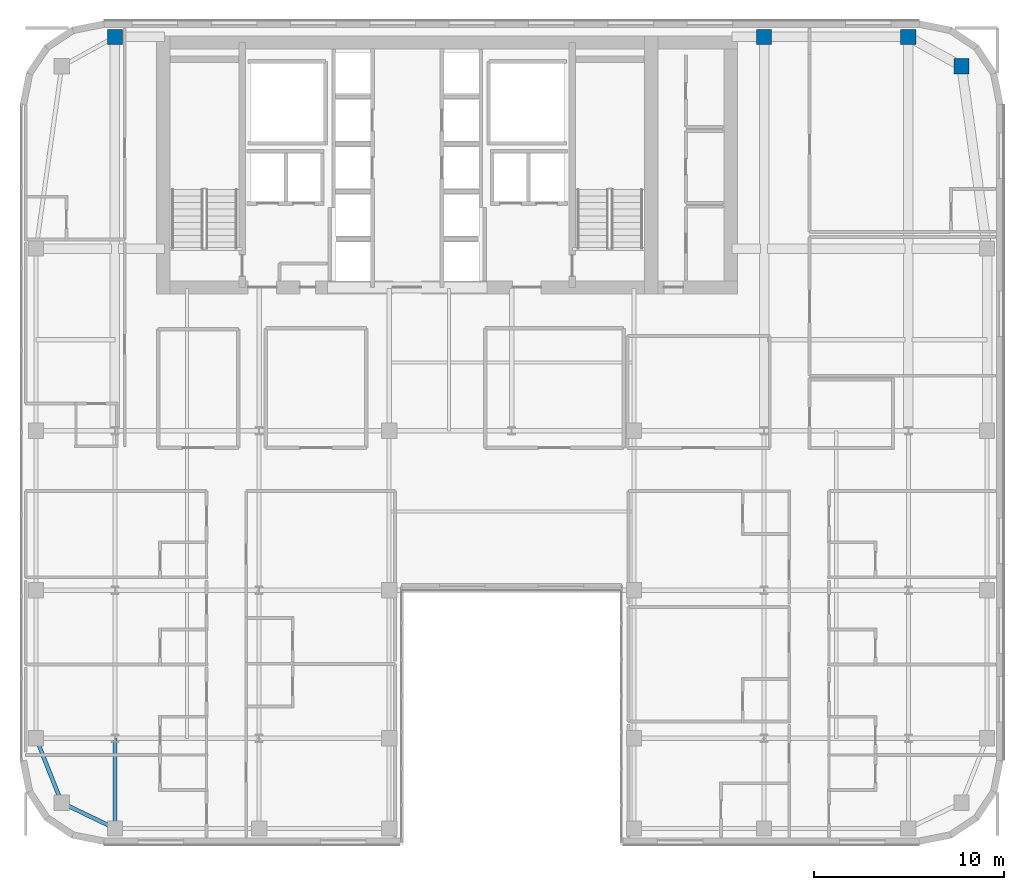
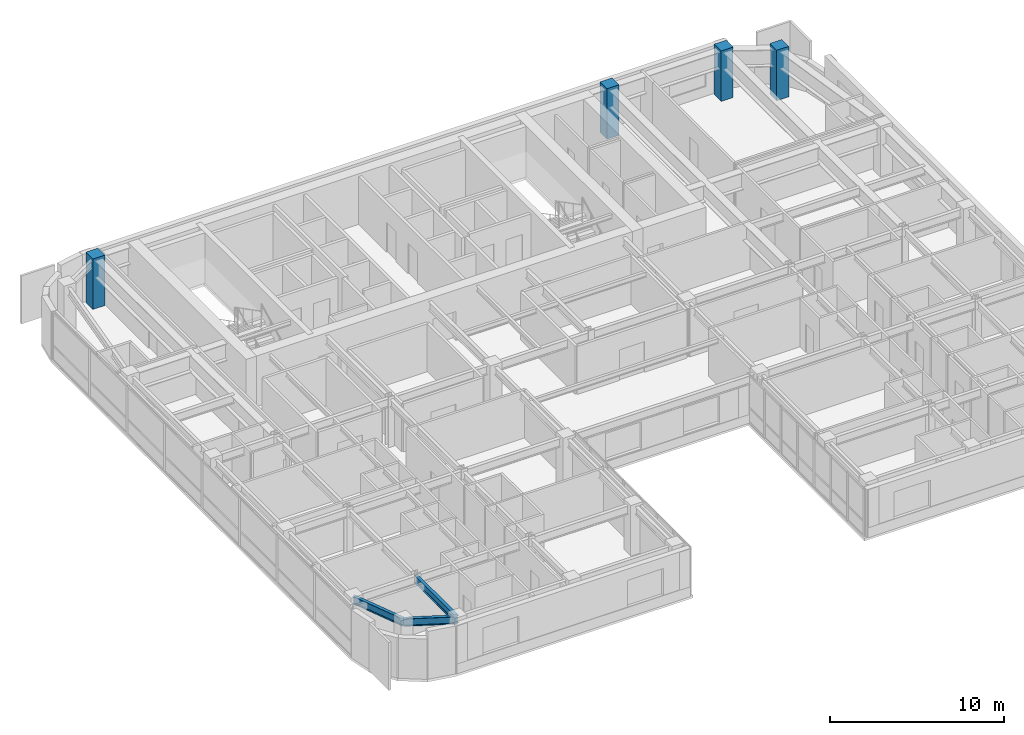
# One storey, part 2 of 28: 4 columns, 3 beams.
"""IFC4 building model written with IfcOpenShell, lengths in metres."""

import ifcopenshell
import ifcopenshell.guid

model = None  # the IFC model being written
_history = None  # IfcOwnerHistory: only IFC2X3 demands one
_inside = {}  # id of a spatial element -> (the spatial element, [elements in it])
_under = {}  # id of a project, library or spatial element -> (it, [spatial elements below it])
_declared = {}  # id of a project -> (the project, [libraries it declares])
_typed = {}  # id of a type object -> (the type object, [elements of that type])
_made_of = {}  # id of a material, layer set ... -> (it, [elements and type objects made of it])


def new_model(schema):
    """Start an empty IFC model of exactly this schema.

    Asked for "IFC4X3", IfcOpenShell would pick the latest addendum, in which some entities
    have other attributes; the version numbers below select the first issue.
    IFC2X3 requires an IfcOwnerHistory on every rooted entity: one is made here for all.
    """
    global model, _history
    if schema == "IFC4X3":
        model = ifcopenshell.file(schema_version=(4, 3, 0, 0))
    else:
        model = ifcopenshell.file(schema=schema)
    _inside.clear()
    _under.clear()
    _declared.clear()
    _typed.clear()
    _made_of.clear()
    _history = None
    if model.schema == "IFC2X3":
        org = make("IfcOrganization", Name="unknown")
        user = make(
            "IfcPersonAndOrganization",
            ThePerson=make("IfcPerson", FamilyName="unknown"),
            TheOrganization=org,
        )
        app = make(
            "IfcApplication",
            ApplicationDeveloper=org,
            Version="unknown",
            ApplicationFullName="unknown",
            ApplicationIdentifier="unknown",
        )
        _history = make(
            "IfcOwnerHistory",
            OwningUser=user,
            OwningApplication=app,
            ChangeAction="ADDED",
            CreationDate=0,
        )
    return model


def make(cls, **values):
    """One entity of the class cls with the attributes given. An attribute that is None is left unset."""
    return model.create_entity(
        cls, **{name: value for name, value in values.items() if value is not None}
    )


def rooted(cls, **values):
    """An entity with a GlobalId (a new one), such as an element, a storey or a relation."""
    return make(cls, GlobalId=ifcopenshell.guid.new(), OwnerHistory=_history, **values)


def si_unit(unit_type, name, prefix=None):
    """IfcSIUnit, for example si_unit("LENGTHUNIT", "METRE", prefix="MILLI")."""
    return make("IfcSIUnit", UnitType=unit_type, Prefix=prefix, Name=name)


def assignment(units):
    """IfcUnitAssignment: the units of a project."""
    return None if units is None else make("IfcUnitAssignment", Units=units)


def point(xyz):
    """IfcCartesianPoint."""
    return None if xyz is None else make("IfcCartesianPoint", Coordinates=xyz)


def direction(xyz):
    """IfcDirection."""
    return None if xyz is None else make("IfcDirection", DirectionRatios=xyz)


def frame(location, z_axis=None, x_axis=None):
    """IfcAxis2Placement3D, a coordinate frame: its origin and axes. An axis left out is left unset."""
    return make(
        "IfcAxis2Placement3D",
        Location=point(location),
        Axis=direction(z_axis),
        RefDirection=direction(x_axis),
    )


def frame_2d(location, x_axis=None):
    """IfcAxis2Placement2D, a coordinate frame in the plane: its origin and x axis."""
    return make(
        "IfcAxis2Placement2D", Location=point(location), RefDirection=direction(x_axis)
    )


def origin():
    """The frame at (0, 0, 0) with its axes left unset."""
    return frame((0.0, 0.0, 0.0))


def origin_2d():
    """The frame at (0, 0) in the plane with its x axis left unset."""
    return frame_2d((0.0, 0.0))


def place(relative_to, where):
    """IfcLocalPlacement: puts the frame where relative to a parent placement (None: the world)."""
    return make(
        "IfcLocalPlacement", PlacementRelTo=relative_to, RelativePlacement=where
    )


def context(
    kind, dimensions, precision=None, world=None, true_north=None, identifier=None
):
    """IfcGeometricRepresentationContext, for example the 3D "Model" context."""
    return make(
        "IfcGeometricRepresentationContext",
        ContextIdentifier=identifier,
        ContextType=kind,
        CoordinateSpaceDimension=dimensions,
        Precision=precision,
        WorldCoordinateSystem=world,
        TrueNorth=true_north,
    )


def subcontext(parent, identifier, kind, view, scale=None):
    """IfcGeometricRepresentationSubContext, for example "Body" below "Model"."""
    return make(
        "IfcGeometricRepresentationSubContext",
        ContextIdentifier=identifier,
        ContextType=kind,
        ParentContext=parent,
        TargetScale=scale,
        TargetView=view,
    )


def project(units=None, contexts=None):
    """IfcProject with its units and contexts."""
    return rooted(
        "IfcProject",
        Name="project",
        RepresentationContexts=contexts,
        UnitsInContext=assignment(units),
    )


def spatial(cls, under=None, at=None, **own):
    """A site, building, storey or space (cls), placed at a placement, below another one or the project."""
    s = rooted(cls, ObjectPlacement=at, **own)
    if under is not None:
        _under.setdefault(under.id(), (under, []))[1].append(s)
    return s


def profile(cls, at=None, kind="AREA", **sizes):
    """A parametric profile (cls). Its sizes go by their IFC names, for example OverallWidth=200.0."""
    return make(cls, ProfileType=kind, Position=at, **sizes)


def rectangle(**sizes):
    """IfcRectangleProfileDef."""
    return profile("IfcRectangleProfileDef", **sizes)


def i_section(**sizes):
    """IfcIShapeProfileDef."""
    return profile("IfcIShapeProfileDef", **sizes)


def extrude(swept, where, along, depth):
    """IfcExtrudedAreaSolid: the profile swept, set in the frame where, extruded along a direction by depth."""
    return make(
        "IfcExtrudedAreaSolid",
        SweptArea=swept,
        Position=where,
        ExtrudedDirection=direction(along),
        Depth=depth,
    )


def shape(context_of_items, identifier, shape_type, items):
    """IfcShapeRepresentation: the items that make up one representation, for example the "Body"."""
    return make(
        "IfcShapeRepresentation",
        ContextOfItems=context_of_items,
        RepresentationIdentifier=identifier,
        RepresentationType=shape_type,
        Items=items,
    )


def source(mapping_origin, context_of_items, identifier, shape_type, items):
    """IfcRepresentationMap: a shape defined once, which mapped items show again and again."""
    return make(
        "IfcRepresentationMap",
        MappingOrigin=mapping_origin,
        MappedRepresentation=shape(context_of_items, identifier, shape_type, items),
    )


def transform(
    local_origin,
    x_axis=None,
    y_axis=None,
    z_axis=None,
    scale=None,
    scale2=None,
    scale3=None,
    uniform=True,
):
    """IfcCartesianTransformationOperator3D, or its non-uniform kind. x_axis, y_axis, z_axis: its Axis1, 2, 3."""
    if uniform:
        return make(
            "IfcCartesianTransformationOperator3D",
            Axis1=direction(x_axis),
            Axis2=direction(y_axis),
            LocalOrigin=point(local_origin),
            Scale=scale,
            Axis3=direction(z_axis),
        )
    return make(
        "IfcCartesianTransformationOperator3DnonUniform",
        Axis1=direction(x_axis),
        Axis2=direction(y_axis),
        LocalOrigin=point(local_origin),
        Scale=scale,
        Axis3=direction(z_axis),
        Scale2=scale2,
        Scale3=scale3,
    )


def mapped(mapping_source, mapping_target):
    """IfcMappedItem: shows the shape of a source again, moved by a transform."""
    return make(
        "IfcMappedItem", MappingSource=mapping_source, MappingTarget=mapping_target
    )


def material(Name=None, Category=None):
    """IfcMaterial."""
    return make("IfcMaterial", Name=Name, Category=Category)


def material_profile(
    of_material, cross_section, Name=None, Category=None, Priority=None
):
    """IfcMaterialProfile: a cross section and its material."""
    return make(
        "IfcMaterialProfile",
        Name=Name,
        Material=of_material,
        Profile=cross_section,
        Priority=Priority,
        Category=Category,
    )


def profile_set(profiles, Name=None, composite=None):
    """IfcMaterialProfileSet."""
    return make(
        "IfcMaterialProfileSet",
        Name=Name,
        MaterialProfiles=profiles,
        CompositeProfile=composite,
    )


def made_of(thing, what):
    """Note that an element or type object is made of a material, layer set ...; save() writes the relation."""
    if what is not None:
        _made_of.setdefault(what.id(), (what, []))[1].append(thing)
    return thing


def type_object(cls, material=None, **own):
    """A type object (cls), such as IfcWallType, which elements share."""
    return made_of(rooted(cls, **own), material)


def type_shapes(of_type, sources):
    """Give a type object the sources (RepresentationMaps) that its elements show as mapped items."""
    of_type.RepresentationMaps = sources


def element(
    cls,
    number,
    at=None,
    inside=None,
    cuts=None,
    type_object=None,
    material=None,
    context=None,
    identifier="Body",
    shape_type=None,
    held_by="IfcProductDefinitionShape",
    body=None,
    shapes=None,
    **own,
):
    """One element of the class cls, such as IfcWall. Its Tag is "e" and its number.

    at: its placement. inside: the storey or other place that contains it. cuts: it is an
    opening in that element (IfcRelVoidsElement). A single representation is given by context,
    identifier, shape_type and body (its items); several are given by shapes. held_by: the class
    of the entity that holds the representations. save() writes the other relations.
    """
    e = rooted(cls, Tag="e%d" % number, ObjectPlacement=at, **own)
    if body is not None:
        shapes = [shape(context, identifier, shape_type, body)]
    if shapes is not None:
        e.Representation = make(held_by, Representations=shapes)
    if inside is not None:
        _inside.setdefault(inside.id(), (inside, []))[1].append(e)
    if cuts is not None:
        rooted(
            "IfcRelVoidsElement", RelatingBuildingElement=cuts, RelatedOpeningElement=e
        )
    if type_object is not None:
        _typed.setdefault(type_object.id(), (type_object, []))[1].append(e)
    return made_of(e, material)


def aggregate(whole, parts):
    """IfcRelAggregates: a whole, such as a stair, and the parts it consists of."""
    return rooted("IfcRelAggregates", RelatingObject=whole, RelatedObjects=parts)


def save(model, path):
    """Write the relations noted so far, then the file.

    IfcRelAggregates (storeys below a building ...), IfcRelContainedInSpatialStructure (elements
    in a storey), IfcRelDefinesByType, IfcRelAssociatesMaterial and IfcRelDeclares: one each for
    every whole, place, type object, material and project.
    """
    for whole, parts in _under.values():
        aggregate(whole, parts)
    for where, things in _inside.values():
        rooted(
            "IfcRelContainedInSpatialStructure",
            RelatedElements=things,
            RelatingStructure=where,
        )
    for kind, things in _typed.values():
        rooted("IfcRelDefinesByType", RelatedObjects=things, RelatingType=kind)
    for what, things in _made_of.values():
        rooted("IfcRelAssociatesMaterial", RelatedObjects=things, RelatingMaterial=what)
    for by, libraries in _declared.values():
        rooted("IfcRelDeclares", RelatingContext=by, RelatedDefinitions=libraries)
    model.write(path)


model = new_model("IFC4")

# Units and contexts
model_context = context("Model", 3, precision=1e-05, world=origin(), true_north=direction((0.0, 1.0)))
body_context = subcontext(model_context, "Body", "Model", "MODEL_VIEW")
ifc_project = project(units=[si_unit("LENGTHUNIT", "METRE"), si_unit("AREAUNIT", "SQUARE_METRE"), si_unit("VOLUMEUNIT", "CUBIC_METRE"), si_unit("PLANEANGLEUNIT", "RADIAN"), si_unit("MASSUNIT", "GRAM", prefix="KILO")], contexts=[model_context])

# Site, building, storey
site_placement = place(None, origin())
site = spatial("IfcSite", under=ifc_project, at=site_placement, CompositionType="ELEMENT")
building_placement = place(site_placement, origin())
building = spatial("IfcBuilding", under=site, at=building_placement, Name="Tolvann Quenvar Hotel", CompositionType="ELEMENT")
storey_placement = place(building_placement, frame((0.0, 0.0, 154.14990234375)))
storey = spatial("IfcBuildingStorey", under=building, at=storey_placement, Name="L40", CompositionType="ELEMENT", Elevation=154.14990234375)

# Columns
ifc_material_1 = material(Name="Concrete N50 (50 MPa)", Category="concrete")
ifc_material_profile_1 = material_profile(ifc_material_1, rectangle(XDim=0.800048828125, YDim=0.800048828125, at=origin_2d()), Name="RC800x800")
ifc_profile_set_1 = profile_set([ifc_material_profile_1], Name="Concrete N50 (50 MPa)")
column_type = type_object("IfcColumnType", Name="COL_RC800", PredefinedType="COLUMN", material=ifc_profile_set_1)
shared_shape_1 = source(origin(), body_context, "Body", "SweptSolid", [
    extrude(rectangle(XDim=0.800048828125, YDim=0.800048828125, at=origin_2d()), origin(), (0.0, 0.0, 1.0), 3.550048828125),
])
type_shapes(column_type, [shared_shape_1])
for number, where, z_axis, x_axis, name in (
    (1, (7.60009765625, 45.14990234375, 0.0), (0.0, 0.0, 1.0), (1.0, 0.0, 0.0), "Column CN (L40)"),
    (2, (41.800048828125, 45.14990234375, 0.0), (0.0, 0.0, 1.0), (1.0, 0.0, 0.0), "Column HN (L40)"),
    (3, (49.39990234375, 45.14990234375, 0.0), (0.0, 0.0, 1.0), (1.0, 0.0, 0.0), "Column IN (L40)"),
    (4, (52.199951171875, 43.60009765625, 0.0), (0.0, 0.0, 1.0), (1.0, 0.0, 0.0), "Column JN (L40)"),
):
    element("IfcColumn", number, at=place(storey_placement, frame(where, z_axis=z_axis, x_axis=x_axis)), inside=storey, type_object=column_type, Name=name, PredefinedType="COLUMN", context=body_context, shape_type="MappedRepresentation", body=[
        mapped(shared_shape_1, transform((0.0, 0.0, 0.0), x_axis=(1.0, 0.0, 0.0), y_axis=(0.0, 1.0, 0.0), z_axis=(0.0, 0.0, 1.0), scale=1.0)),
    ])

# Beams
ifc_material_2 = material(Name="Steel Grade 350", Category="steel")
ifc_material_profile_2 = material_profile(ifc_material_2, i_section(OverallWidth=0.208984375, OverallDepth=0.528076171875, WebThickness=0.009521484375, FlangeThickness=0.01318359375, FilletRadius=0.013916015625, at=origin_2d()), Name="530UB82")
ifc_profile_set_2 = profile_set([ifc_material_profile_2], Name="Steel Grade 350")
beam_type_1 = type_object("IfcBeamType", Name="BM_SPAND_530UB82", PredefinedType="SPANDREL", material=ifc_profile_set_2)
shared_shape_2 = source(origin(), body_context, "Body", "SweptSolid", [
    extrude(i_section(OverallWidth=0.208984375, OverallDepth=0.528076171875, WebThickness=0.009521484375, FlangeThickness=0.01318359375, FilletRadius=0.013916015625, at=origin_2d()), origin(), (0.0, 0.0, 1.0), 3.108642578125),
])
beam_1_placement = place(storey_placement, frame((4.800048828125, 4.800048828125, 3.106201171875), z_axis=(0.900759354066, -0.434318530646, 0.0), x_axis=(0.434318530646, 0.900759354066, 0.0)))
element("IfcBeam", 5, at=beam_1_placement, inside=storey, type_object=beam_type_1, Name="BM-L40-EW-2-B2-C2", PredefinedType="SPANDREL", context=body_context, shape_type="MappedRepresentation", body=[
    mapped(shared_shape_2, transform((0.0, 0.0, 0.0), x_axis=(1.0, 0.0, 0.0), y_axis=(0.0, 1.0, 0.0), z_axis=(0.0, 0.0, 1.0), scale=1.0)),
])
shared_shape_3 = source(origin(), body_context, "Body", "SweptSolid", [
    extrude(i_section(OverallWidth=0.208984375, OverallDepth=0.528076171875, WebThickness=0.009521484375, FlangeThickness=0.01318359375, FilletRadius=0.013916015625, at=origin_2d()), origin(), (0.0, 0.0, 1.0), 3.658203125),
])
type_shapes(beam_type_1, [shared_shape_2, shared_shape_3])
beam_2_placement = place(storey_placement, frame((4.800048828125, 4.800048828125, 3.106201171875), z_axis=(-0.369065163807, 0.929403521009, 0.0), x_axis=(-0.929403521009, -0.369065163807, 0.0)))
element("IfcBeam", 6, at=beam_2_placement, inside=storey, type_object=beam_type_1, Name="BM-L40-NS-B2-B3", PredefinedType="SPANDREL", context=body_context, shape_type="MappedRepresentation", body=[
    mapped(shared_shape_3, transform((0.0, 0.0, 0.0), x_axis=(1.0, 0.0, 0.0), y_axis=(0.0, 1.0, 0.0), z_axis=(0.0, 0.0, 1.0), scale=1.0)),
])
ifc_material_profile_3 = material_profile(ifc_material_2, i_section(OverallWidth=0.208984375, OverallDepth=0.532958984375, WebThickness=0.01025390625, FlangeThickness=0.015625, FilletRadius=0.013916015625, at=origin_2d()), Name="530UB92")
ifc_profile_set_3 = profile_set([ifc_material_profile_3], Name="Steel Grade 350")
beam_type_2 = type_object("IfcBeamType", Name="BM_GIRD_530UB92", PredefinedType="BEAM", material=ifc_profile_set_3)
shared_shape_4 = source(origin(), body_context, "Body", "SweptSolid", [
    extrude(i_section(OverallWidth=0.208984375, OverallDepth=0.532958984375, WebThickness=0.01025390625, FlangeThickness=0.015625, FilletRadius=0.013916015625, at=origin_2d()), origin(), (0.0, 0.0, 1.0), 4.75),
])
type_shapes(beam_type_2, [shared_shape_4])
beam_3_placement = place(storey_placement, frame((7.60009765625, 3.449951171875, 3.103515625), z_axis=(0.0, 1.0, 0.0), x_axis=(-1.0, 0.0, 0.0)))
element("IfcBeam", 7, at=beam_3_placement, inside=storey, type_object=beam_type_2, Name="BM-L40-NS-C2-C3", PredefinedType="BEAM", context=body_context, shape_type="MappedRepresentation", body=[
    mapped(shared_shape_4, transform((0.0, 0.0, 0.0), x_axis=(1.0, 0.0, 0.0), y_axis=(0.0, 1.0, 0.0), z_axis=(0.0, 0.0, 1.0), scale=1.0)),
])

save(model, "model.ifc")
